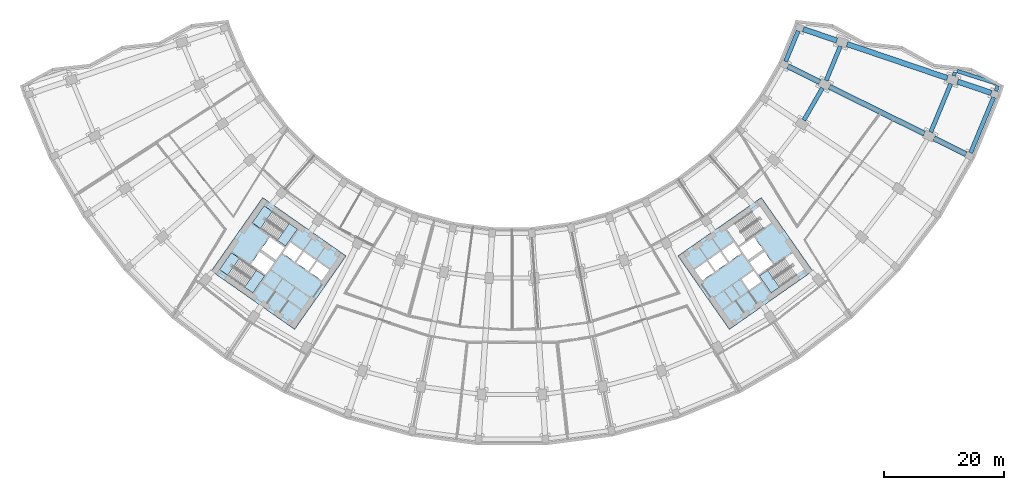
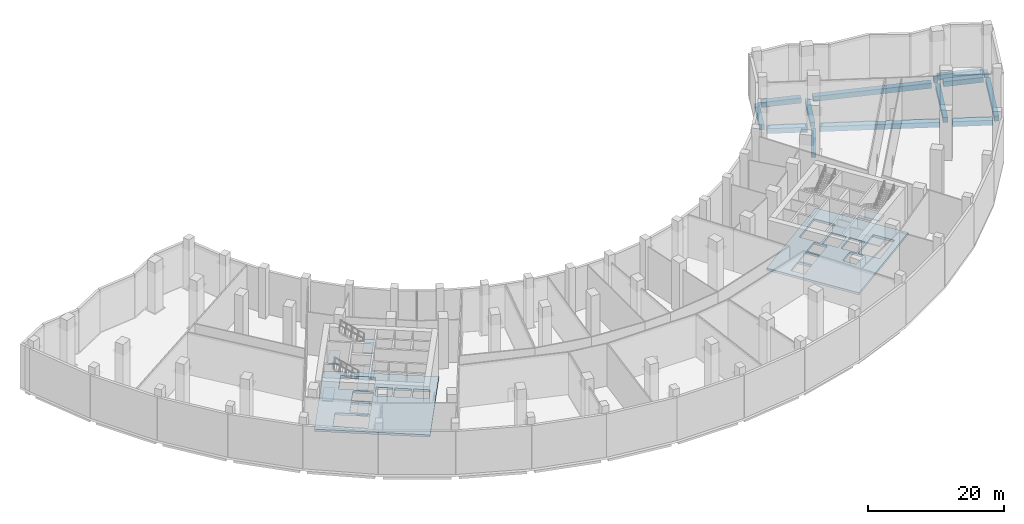
# One storey, part 3 of 19: 14 beams, 10 slabs, 3 elements without a shape of their own.
"""IFC4 building model written with IfcOpenShell, lengths in metres."""

from ifc_helpers import new_model, si_unit, direction, frame, origin, origin_2d, place, context, subcontext, project, spatial, polyline, rectangle, outline, extrude, material, layer, layer_set, material_profile, profile_set, type_object, element, aggregate, save


model = new_model("IFC4")

# Units and contexts
model_context = context("Model", 3, precision=1e-05, world=origin(), true_north=direction((0.0, 1.0)))
body_context = subcontext(model_context, "Body", "Model", "MODEL_VIEW")
ifc_project = project(units=[si_unit("LENGTHUNIT", "METRE"), si_unit("AREAUNIT", "SQUARE_METRE"), si_unit("VOLUMEUNIT", "CUBIC_METRE"), si_unit("PLANEANGLEUNIT", "RADIAN"), si_unit("MASSUNIT", "GRAM", prefix="KILO")], contexts=[model_context])

# Site, building, storey
site_placement = place(None, origin())
site = spatial("IfcSite", under=ifc_project, at=site_placement, CompositionType="ELEMENT")
building_placement = place(site_placement, origin())
building = spatial("IfcBuilding", under=site, at=building_placement, Name="Qamariyya Broadcast Tower", CompositionType="ELEMENT")
storey_placement = place(building_placement, frame((0.0, 0.0, 9.0)))
storey = spatial("IfcBuildingStorey", under=building, at=storey_placement, Name="L01", CompositionType="ELEMENT", Elevation=9.0)

# Beams
ifc_material_1 = material(Name="Concrete C50/60", Category="concrete")
ifc_material_profile_1 = material_profile(ifc_material_1, rectangle(XDim=0.699951171875, YDim=0.89990234375, at=origin_2d()))
ifc_profile_set_1 = profile_set([ifc_material_profile_1], Name="Concrete C50/60")
beam_type_1 = type_object("IfcBeamType", Name="RC edge beam 700 x 900 C50/60", PredefinedType="SPANDREL", material=ifc_profile_set_1)
beam_1_placement = place(storey_placement, frame((45.727294921875, -21.93701171875, -0.85009765625), z_axis=(0.382654292645, 0.92389160204, 0.0), x_axis=(-0.92389160204, 0.382654292645, 0.0)))
element("IfcBeam", 1, at=beam_1_placement, inside=storey, type_object=beam_type_1, Name="Edge beam B2 L01 A R19-R20", PredefinedType="SPANDREL", context=body_context, shape_type="SweptSolid", body=[
    extrude(rectangle(XDim=0.699951171875, YDim=0.89990234375, at=origin_2d()), origin(), (0.0, 0.0, 1.0), 5.5361328125),
])
for number, where, z_axis, x_axis, name in (
    (2, (48.783935546875, -31.75439453125, -0.85009765625), (0.499995558535, 0.86602796805, 0.0), (-0.86602796805, 0.499995558535, 0.0), "Edge beam B2 L01 B R18-R19"),
    (3, (52.51123046875, -25.115234375, -0.85009765625), (0.38268477858, 0.92387897489, 0.0), (-0.92387897489, 0.38268477858, 0.0), "Edge beam B2 L01 B R19-R20"),
):
    element("IfcBeam", number, at=place(storey_placement, frame(where, z_axis=z_axis, x_axis=x_axis)), inside=storey, type_object=beam_type_1, Name=name, PredefinedType="SPANDREL", context=body_context, shape_type="SweptSolid", body=[
        extrude(rectangle(XDim=0.699951171875, YDim=0.89990234375, at=origin_2d()), origin(), (0.0, 0.0, 1.0), 6.21630859375),
    ])
beam_2_placement = place(storey_placement, frame((70.000244140625, -33.73974609375, -0.85009765625), z_axis=(0.38270841035, 0.923869185896, 0.0), x_axis=(-0.923869185896, 0.38270841035, 0.0)))
element("IfcBeam", 4, at=beam_2_placement, inside=storey, type_object=beam_type_1, Name="Edge beam B2 L01 C R19-R20", PredefinedType="SPANDREL", context=body_context, shape_type="SweptSolid", body=[
    extrude(rectangle(XDim=0.699951171875, YDim=0.89990234375, at=origin_2d()), origin(), (0.0, 0.0, 1.0), 8.76708984375),
])
beam_3_placement = place(storey_placement, frame((76.66943359375, -37.19580078125, -0.85009765625), z_axis=(0.382677229034, 0.923882101991, 0.0), x_axis=(-0.923882101991, 0.382677229034, 0.0)))
element("IfcBeam", 5, at=beam_3_placement, inside=storey, type_object=beam_type_1, Name="Edge beam B2 L01 D R19-R20", PredefinedType="SPANDREL", context=body_context, shape_type="SweptSolid", body=[
    extrude(rectangle(XDim=0.699951171875, YDim=0.89990234375, at=origin_2d()), origin(), (0.0, 0.0, 1.0), 10.048828125),
])
ifc_material_profile_2 = material_profile(ifc_material_1, rectangle(XDim=0.60009765625, YDim=0.89990234375, at=origin_2d()))
ifc_profile_set_2 = profile_set([ifc_material_profile_2], Name="Concrete C50/60")
beam_type_2 = type_object("IfcBeamType", Name="RC horn beam 600 x 900 C50/60", PredefinedType="BEAM", material=ifc_profile_set_2)
beam_4_placement = place(storey_placement, frame((73.841796875, -24.32666015625, -0.85009765625), z_axis=(0.311677221784, 0.95018803898, 0.0), x_axis=(-0.95018803898, 0.311677221784, 0.0)))
element("IfcBeam", 6, at=beam_4_placement, inside=storey, type_object=beam_type_2, Name="Horn beam B3 L01 E C-R20", PredefinedType="BEAM", context=body_context, shape_type="SweptSolid", body=[
    extrude(rectangle(XDim=0.60009765625, YDim=0.89990234375, at=origin_2d()), origin(), (0.0, 0.0, 1.0), 0.628173828125),
])
beam_5_placement = place(storey_placement, frame((80.897216796875, -26.880126953125, -0.85009765625), z_axis=(0.31136908678, 0.95028905697, 0.0), x_axis=(-0.95028905697, 0.31136908678, 0.0)))
element("IfcBeam", 7, at=beam_5_placement, inside=storey, type_object=beam_type_2, Name="Horn beam B3 L01 E D-R20", PredefinedType="BEAM", context=body_context, shape_type="SweptSolid", body=[
    extrude(rectangle(XDim=0.60009765625, YDim=0.89990234375, at=origin_2d()), origin(), (0.0, 0.0, 1.0), 0.935302734375),
])
ifc_material_profile_3 = material_profile(ifc_material_1, rectangle(XDim=0.60009765625, YDim=0.89990234375, at=origin_2d()))
ifc_profile_set_3 = profile_set([ifc_material_profile_3], Name="Concrete C50/60")
beam_type_3 = type_object("IfcBeamType", Name="RC horn cap beam 600 x 900 C50/60", PredefinedType="BEAM", material=ifc_profile_set_3)
beam_6_placement = place(storey_placement, frame((74.4169921875, -23.53515625, -0.85009765625), z_axis=(0.953456380288, -0.301530978321, 0.0), x_axis=(0.301530978321, 0.953456380288, 0.0)))
element("IfcBeam", 8, at=beam_6_placement, inside=storey, type_object=beam_type_3, Name="Horn cap beam B4 L01 E C-D", PredefinedType="BEAM", context=body_context, shape_type="SweptSolid", body=[
    extrude(rectangle(XDim=0.60009765625, YDim=0.89990234375, at=origin_2d()), origin(), (0.0, 0.0, 1.0), 6.89990234375),
])
ifc_material_profile_4 = material_profile(ifc_material_1, rectangle(XDim=0.89990234375, YDim=0.89990234375, at=origin_2d()))
ifc_profile_set_4 = profile_set([ifc_material_profile_4], Name="Concrete C50/60")
beam_type_4 = type_object("IfcBeamType", Name="RC radial beam 900 x 900 C50/60", PredefinedType="BEAM", material=ifc_profile_set_4)
beam_7_placement = place(storey_placement, frame((46.099365234375, -22.733642578125, -0.85009765625), z_axis=(0.896867525941, -0.442299266236, 0.0), x_axis=(0.442299266236, 0.896867525941, 0.0)))
element("IfcBeam", 9, at=beam_7_placement, inside=storey, type_object=beam_type_4, Name="Radial beam B1 L01 R19 A-B", PredefinedType="BEAM", context=body_context, shape_type="SweptSolid", body=[
    extrude(rectangle(XDim=0.89990234375, YDim=0.89990234375, at=origin_2d()), origin(), (0.0, 0.0, 1.0), 5.94970703125),
])
beam_8_placement = place(storey_placement, frame((53.050048828125, -26.161376953125, -0.85009765625), z_axis=(0.896868921808, -0.442296435771, 0.0), x_axis=(0.442296435771, 0.896868921808, 0.0)))
element("IfcBeam", 10, at=beam_8_placement, inside=storey, type_object=beam_type_4, Name="Radial beam B1 L01 R19 B-C", PredefinedType="BEAM", context=body_context, shape_type="SweptSolid", body=[
    extrude(rectangle(XDim=0.89990234375, YDim=0.89990234375, at=origin_2d()), origin(), (0.0, 0.0, 1.0), 17.699951171875),
])
beam_9_placement = place(storey_placement, frame((70.5390625, -34.785888671875, -0.85009765625), z_axis=(0.896859276255, -0.442315994054, 0.0), x_axis=(0.442315994054, 0.896859276255, 0.0)))
element("IfcBeam", 11, at=beam_9_placement, inside=storey, type_object=beam_type_4, Name="Radial beam B1 L01 R19 C-D", PredefinedType="BEAM", context=body_context, shape_type="SweptSolid", body=[
    extrude(rectangle(XDim=0.89990234375, YDim=0.89990234375, at=origin_2d()), origin(), (0.0, 0.0, 1.0), 5.9501953125),
])
beam_10_placement = place(storey_placement, frame((48.672119140625, -16.52197265625, -0.85009765625), z_axis=(0.946929197619, -0.32144221051, 0.0), x_axis=(0.32144221051, 0.946929197619, 0.0)))
element("IfcBeam", 12, at=beam_10_placement, inside=storey, type_object=beam_type_4, Name="Radial beam B1 L01 R20 A-B", PredefinedType="BEAM", context=body_context, shape_type="SweptSolid", body=[
    extrude(rectangle(XDim=0.89990234375, YDim=0.89990234375, at=origin_2d()), origin(), (0.0, 0.0, 1.0), 5.949951171875),
])
beam_11_placement = place(storey_placement, frame((56.010986328125, -19.01318359375, -0.85009765625), z_axis=(0.946929601856, -0.321441019674, 0.0), x_axis=(0.321441019674, 0.946929601856, 0.0)))
element("IfcBeam", 13, at=beam_11_placement, inside=storey, type_object=beam_type_4, Name="Radial beam B1 L01 R20 B-C", PredefinedType="BEAM", context=body_context, shape_type="SweptSolid", body=[
    extrude(rectangle(XDim=0.89990234375, YDim=0.89990234375, at=origin_2d()), origin(), (0.0, 0.0, 1.0), 17.699951171875),
])
beam_12_placement = place(storey_placement, frame((74.47607421875, -25.28125, -0.85009765625), z_axis=(0.946929197619, -0.32144221051, 0.0), x_axis=(0.32144221051, 0.946929197619, 0.0)))
element("IfcBeam", 14, at=beam_12_placement, inside=storey, type_object=beam_type_4, Name="Radial beam B1 L01 R20 C-D", PredefinedType="BEAM", context=body_context, shape_type="SweptSolid", body=[
    extrude(rectangle(XDim=0.89990234375, YDim=0.89990234375, at=origin_2d()), origin(), (0.0, 0.0, 1.0), 5.949951171875),
])

# Slabs
ifc_material_2 = material(Name="Concrete C40/50", Category="concrete")
ifc_layer_1 = layer(ifc_material_2, 0.39990234375)
ifc_layer_set_1 = layer_set([ifc_layer_1], Name="Core floor slab 400 mm Concrete C40/50")
slab_type_1 = type_object("IfcSlabType", Name="Core floor slab 400 mm Concrete C40/50", PredefinedType="FLOOR", material=ifc_layer_set_1)
slab_1_placement = place(storey_placement, frame((0.0, 0.0, -0.39990234375)))
element("IfcSlab", 15, at=slab_1_placement, inside=storey, type_object=slab_type_1, Name="k-W-L01-slab", PredefinedType="FLOOR", context=body_context, shape_type="SweptSolid", body=[
    extrude(outline(polyline([(-50.286376953125, -56.95751953125), (-36.32373046875, -66.734375), (-27.719970703125, -54.447021484375), (-41.6826171875, -44.67041015625), (-50.286376953125, -56.95751953125)]), holes=[polyline([(-31.80859375, -58.542724609375), (-33.8154296875, -57.137451171875), (-32.5537109375, -55.335205078125), (-30.546630859375, -56.740478515625), (-31.80859375, -58.542724609375)]), polyline([(-34.061279296875, -56.96533203125), (-36.068115234375, -55.56005859375), (-34.806396484375, -53.758056640625), (-32.79931640625, -55.163330078125), (-34.061279296875, -56.96533203125)]), polyline([(-36.31396484375, -55.387939453125), (-38.32080078125, -53.982666015625), (-37.058837890625, -52.1806640625), (-35.052001953125, -53.5859375), (-36.31396484375, -55.387939453125)]), polyline([(-39.742431640625, -55.489990234375), (-42.199951171875, -53.769287109375), (-43.6337890625, -55.817138671875), (-41.17626953125, -57.537841796875), (-39.742431640625, -55.489990234375)]), polyline([(-39.45556640625, -55.080322265625), (-41.9130859375, -53.359619140625), (-40.47900390625, -51.311767578125), (-38.021728515625, -53.032470703125), (-39.45556640625, -55.080322265625)]), polyline([(-42.06103515625, -49.837890625), (-37.849609375, -52.78662109375), (-35.870849609375, -49.960693359375), (-40.082275390625, -47.01171875), (-42.06103515625, -49.837890625)]), polyline([(-47.538818359375, -57.66064453125), (-43.3271484375, -60.609619140625), (-41.348388671875, -57.783447265625), (-45.559814453125, -54.834716796875), (-47.538818359375, -57.66064453125)])]), origin(), (0.0, 0.0, 1.0), 0.39990234375),
])
slab_2_placement = place(storey_placement, frame((0.0, 0.0, -0.39990234375)))
element("IfcSlab", 16, at=slab_2_placement, inside=storey, type_object=slab_type_1, Name="k-E-L01-slab", PredefinedType="FLOOR", context=body_context, shape_type="SweptSolid", body=[
    extrude(outline(polyline([(36.32373046875, -66.734375), (50.286376953125, -56.95751953125), (41.6826171875, -44.67041015625), (27.719970703125, -54.447021484375), (36.32373046875, -66.734375)]), holes=[polyline([(31.80859375, -58.542724609375), (33.8154296875, -57.137451171875), (32.5537109375, -55.335205078125), (30.546630859375, -56.740478515625), (31.80859375, -58.542724609375)]), polyline([(34.061279296875, -56.96533203125), (36.068115234375, -55.56005859375), (34.806396484375, -53.758056640625), (32.79931640625, -55.163330078125), (34.061279296875, -56.96533203125)]), polyline([(36.31396484375, -55.387939453125), (38.32080078125, -53.982666015625), (37.058837890625, -52.1806640625), (35.052001953125, -53.5859375), (36.31396484375, -55.387939453125)]), polyline([(38.378662109375, -58.3369140625), (40.3857421875, -56.931640625), (41.6474609375, -58.73388671875), (39.640625, -60.13916015625), (38.378662109375, -58.3369140625)]), polyline([(39.742431640625, -55.489990234375), (42.199951171875, -53.769287109375), (43.6337890625, -55.817138671875), (41.17626953125, -57.537841796875), (39.742431640625, -55.489990234375)]), polyline([(39.45556640625, -55.080322265625), (41.9130859375, -53.359619140625), (40.47900390625, -51.311767578125), (38.021728515625, -53.032470703125), (39.45556640625, -55.080322265625)]), polyline([(40.082275390625, -47.01171875), (35.870849609375, -49.960693359375), (37.849609375, -52.78662109375), (42.06103515625, -49.837890625), (40.082275390625, -47.01171875)]), polyline([(45.559814453125, -54.834716796875), (41.348388671875, -57.783447265625), (43.3271484375, -60.609619140625), (47.538818359375, -57.66064453125), (45.559814453125, -54.834716796875)])]), origin(), (0.0, 0.0, 1.0), 0.39990234375),
])

# Stair, slabs
stair_type = type_object("IfcStairType", Name="Exit stair 52 risers of 173 mm", PredefinedType="HALF_TURN_STAIR", material=ifc_material_1)
stair_1_placement = place(storey_placement, origin())
stair_1 = element("IfcStair", 17, at=stair_1_placement, inside=storey, type_object=stair_type, Name="L01 Stair W2", PredefinedType="HALF_TURN_STAIR")
ifc_layer_2 = layer(ifc_material_1, 0.199951171875)
ifc_layer_set_2 = layer_set([ifc_layer_2], Name="Stair landing")
slab_type_2 = type_object("IfcSlabType", Name="Stair landing", PredefinedType="LANDING", material=ifc_layer_set_2)
slab_3_placement = place(storey_placement, frame((0.0, 0.0, 2.050048828125)))
slab_3 = element("IfcSlab", 18, at=slab_3_placement, type_object=slab_type_2, Name="ST-W2 landing 1", PredefinedType="LANDING", context=body_context, shape_type="SweptSolid", body=[
    extrude(outline(polyline([(-39.217041015625, -51.829345703125), (-37.849609375, -52.78662109375), (-35.870849609375, -49.960693359375), (-37.23828125, -49.003173828125), (-39.217041015625, -51.829345703125)])), origin(), (0.0, 0.0, 1.0), 0.199951171875),
])
slab_4_placement = place(storey_placement, frame((0.0, 0.0, 4.300048828125)))
slab_4 = element("IfcSlab", 19, at=slab_4_placement, type_object=slab_type_2, Name="ST-W2 landing 2", PredefinedType="LANDING", context=body_context, shape_type="SweptSolid", body=[
    extrude(outline(polyline([(-43.416015625, -48.88916015625), (-42.06103515625, -49.837890625), (-40.082275390625, -47.01171875), (-41.437255859375, -46.06298828125), (-43.416015625, -48.88916015625)])), origin(), (0.0, 0.0, 1.0), 0.199951171875),
])
slab_5_placement = place(storey_placement, frame((0.0, 0.0, 6.550048828125)))
slab_5 = element("IfcSlab", 20, at=slab_5_placement, type_object=slab_type_2, Name="ST-W2 landing 3", PredefinedType="LANDING", context=body_context, shape_type="SweptSolid", body=[
    extrude(outline(polyline([(-39.217041015625, -51.829345703125), (-37.849609375, -52.78662109375), (-35.870849609375, -49.960693359375), (-37.23828125, -49.003173828125), (-39.217041015625, -51.829345703125)])), origin(), (0.0, 0.0, 1.0), 0.199951171875),
])
aggregate(stair_1, [slab_3, slab_4, slab_5])

stair_2_placement = place(storey_placement, origin())
stair_2 = element("IfcStair", 21, at=stair_2_placement, inside=storey, type_object=stair_type, Name="L01 Stair W1", PredefinedType="HALF_TURN_STAIR")
slab_6_placement = place(storey_placement, frame((0.0, 0.0, 2.050048828125)))
slab_6 = element("IfcSlab", 22, at=slab_6_placement, type_object=slab_type_2, Name="ST-W1 landing 1", PredefinedType="LANDING", context=body_context, shape_type="SweptSolid", body=[
    extrude(outline(polyline([(-44.694580078125, -59.652099609375), (-43.3271484375, -60.609619140625), (-41.348388671875, -57.783447265625), (-42.7158203125, -56.826171875), (-44.694580078125, -59.652099609375)])), origin(), (0.0, 0.0, 1.0), 0.199951171875),
])
slab_7_placement = place(storey_placement, frame((0.0, 0.0, 4.300048828125)))
slab_7 = element("IfcSlab", 23, at=slab_7_placement, type_object=slab_type_2, Name="ST-W1 landing 2", PredefinedType="LANDING", context=body_context, shape_type="SweptSolid", body=[
    extrude(outline(polyline([(-48.8935546875, -56.7119140625), (-47.538818359375, -57.66064453125), (-45.559814453125, -54.834716796875), (-46.914794921875, -53.885986328125), (-48.8935546875, -56.7119140625)])), origin(), (0.0, 0.0, 1.0), 0.199951171875),
])
slab_8_placement = place(storey_placement, frame((0.0, 0.0, 6.550048828125)))
slab_8 = element("IfcSlab", 24, at=slab_8_placement, type_object=slab_type_2, Name="ST-W1 landing 3", PredefinedType="LANDING", context=body_context, shape_type="SweptSolid", body=[
    extrude(outline(polyline([(-44.694580078125, -59.652099609375), (-43.3271484375, -60.609619140625), (-41.348388671875, -57.783447265625), (-42.7158203125, -56.826171875), (-44.694580078125, -59.652099609375)])), origin(), (0.0, 0.0, 1.0), 0.199951171875),
])
aggregate(stair_2, [slab_6, slab_7, slab_8])

stair_3_placement = place(storey_placement, origin())
stair_3 = element("IfcStair", 25, at=stair_3_placement, inside=storey, type_object=stair_type, Name="L01 Stair E1", PredefinedType="HALF_TURN_STAIR")
slab_9_placement = place(storey_placement, frame((0.0, 0.0, 2.050048828125)))
slab_9 = element("IfcSlab", 26, at=slab_9_placement, type_object=slab_type_2, Name="ST-E1 landing 1", PredefinedType="LANDING", context=body_context, shape_type="SweptSolid", body=[
    extrude(outline(polyline([(42.7158203125, -56.826171875), (41.348388671875, -57.783447265625), (43.3271484375, -60.609619140625), (44.694580078125, -59.652099609375), (42.7158203125, -56.826171875)])), origin(), (0.0, 0.0, 1.0), 0.199951171875),
])
slab_10_placement = place(storey_placement, frame((0.0, 0.0, 6.550048828125)))
slab_10 = element("IfcSlab", 27, at=slab_10_placement, type_object=slab_type_2, Name="ST-E1 landing 3", PredefinedType="LANDING", context=body_context, shape_type="SweptSolid", body=[
    extrude(outline(polyline([(42.7158203125, -56.826171875), (41.348388671875, -57.783447265625), (43.3271484375, -60.609619140625), (44.694580078125, -59.652099609375), (42.7158203125, -56.826171875)])), origin(), (0.0, 0.0, 1.0), 0.199951171875),
])
aggregate(stair_3, [slab_9, slab_10])

save(model, "model.ifc")
